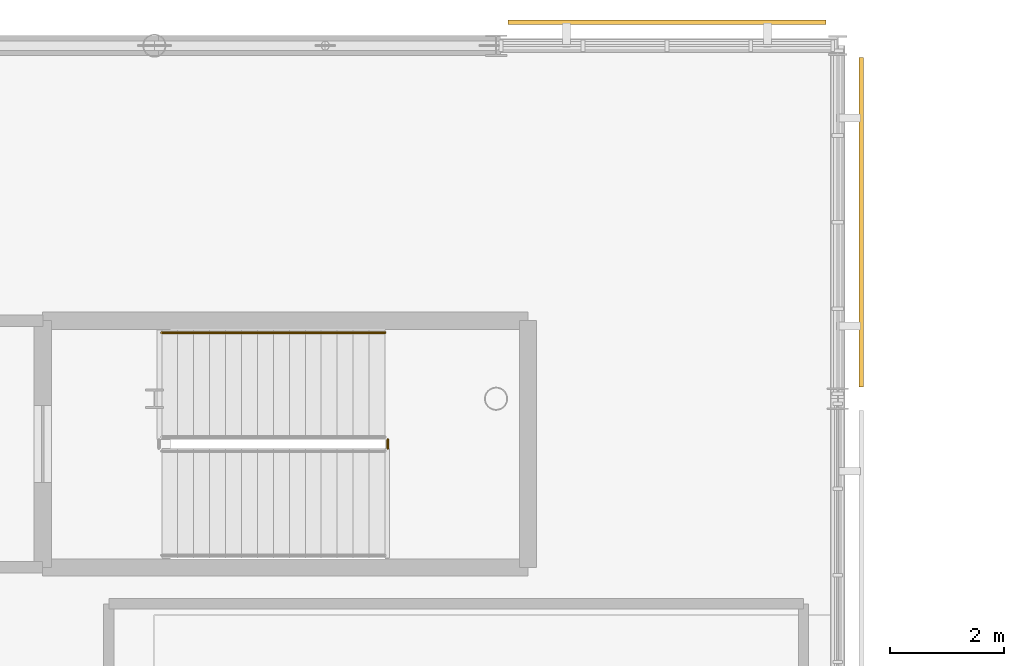
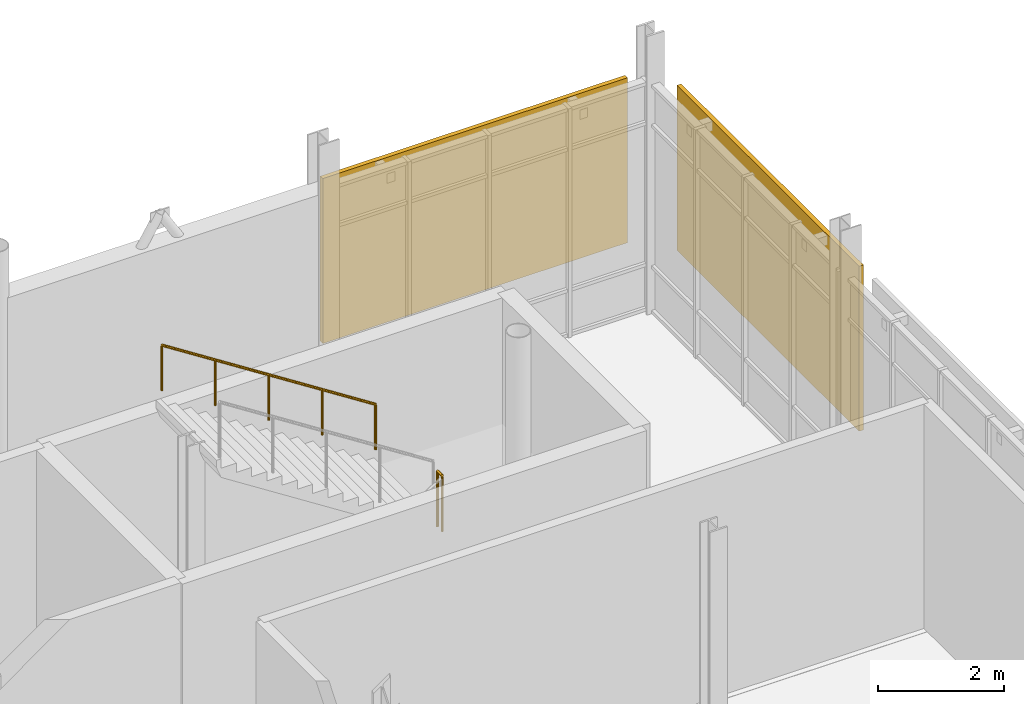
# One storey, part 105 of 105: 2 railings, 2 shading devices.
"""IFC4 building model written with IfcOpenShell, lengths in metres."""

from ifc_helpers import new_model, si_unit, direction, frame, origin, origin_2d, place, context, subcontext, project, spatial, rectangle, circle, extrude, material, layer, layer_set, type_object, element, save


model = new_model("IFC4")

# Units and contexts
model_context = context("Model", 3, precision=1e-05, world=origin(), true_north=direction((0.0, 1.0)))
body_context = subcontext(model_context, "Body", "Model", "MODEL_VIEW")
ifc_project = project(units=[si_unit("LENGTHUNIT", "METRE"), si_unit("AREAUNIT", "SQUARE_METRE"), si_unit("VOLUMEUNIT", "CUBIC_METRE"), si_unit("PLANEANGLEUNIT", "RADIAN"), si_unit("MASSUNIT", "GRAM", prefix="KILO")], contexts=[model_context])

# Site, building, storey
site_placement = place(None, origin())
site = spatial("IfcSite", under=ifc_project, at=site_placement, CompositionType="ELEMENT")
building_placement = place(site_placement, origin())
building = spatial("IfcBuilding", under=site, at=building_placement, Name="Mirzam Square Science Centre", CompositionType="ELEMENT")
storey_placement = place(building_placement, frame((0.0, 0.0, 5.39990234375)))
storey = spatial("IfcBuildingStorey", under=building, at=storey_placement, Name="L01", CompositionType="ELEMENT", Elevation=5.39990234375)

# Railings
ifc_material_1 = material(Name="Bronze-Anodised Architectural Balustrade", Category="aluminium")
railing_type_1 = type_object("IfcRailingType", Name="RL-INT-GUARD-1100", PredefinedType="GUARDRAIL", material=ifc_material_1)
railing_1_placement = place(storey_placement, frame((130.10009765625, 104.530029296875, 2.7001953125)))
element("IfcRailing", 1, at=railing_1_placement, inside=storey, type_object=railing_type_1, Name="L01 ST-11 stair guard 2", PredefinedType="GUARDRAIL", context=body_context, shape_type="SweptSolid", body=[
    extrude(circle(Radius=0.02392578125, at=origin_2d()), frame((0.0, 0.0, 1.076171875), z_axis=(0.0, 1.0, 0.0), x_axis=(-1.0, 0.0, 0.0)), (0.0, 0.0, 1.0), 0.14990234375),
    extrude(circle(Radius=0.02099609375, at=origin_2d()), origin(), (0.0, 0.0, 1.0), 1.052001953125),
    extrude(circle(Radius=0.02099609375, at=origin_2d()), frame((0.0, 0.14990234375, 0.0)), (0.0, 0.0, 1.0), 1.052001953125),
])
ifc_material_2 = material(Name="Brushed Bronze Tubular Handrail", Category="aluminium")
railing_type_2 = type_object("IfcRailingType", Name="RL-STAIR-HANDRAIL-900", PredefinedType="HANDRAIL", material=ifc_material_2)
railing_2_placement = place(storey_placement, frame((130.050048828125, 106.56005859375, 3.072021484375)))
element("IfcRailing", 2, at=railing_2_placement, inside=storey, type_object=railing_type_2, Name="L01 ST-11 stair handrail 2", PredefinedType="HANDRAIL", context=body_context, shape_type="SweptSolid", body=[
    extrude(circle(Radius=0.02392578125, at=origin_2d()), frame((0.0, 0.0, 0.8759765625), z_axis=(-0.841186985886, 0.0, 0.540744352514), x_axis=(0.0, -1.0, 0.0)), (0.0, 0.0, 1.0), 4.660400390625),
    extrude(circle(Radius=0.02099609375, at=origin_2d()), origin(), (0.0, 0.0, 1.0), 0.851806640625),
    extrude(circle(Radius=0.02099609375, at=origin_2d()), frame((-0.97998046875, 0.0, 0.6298828125)), (0.0, 0.0, 1.0), 0.851806640625),
    extrude(circle(Radius=0.02099609375, at=origin_2d()), frame((-1.9599609375, 0.0, 1.260009765625)), (0.0, 0.0, 1.0), 0.851806640625),
    extrude(circle(Radius=0.02099609375, at=origin_2d()), frame((-2.940185546875, 0.0, 1.89013671875)), (0.0, 0.0, 1.0), 0.851806640625),
    extrude(circle(Radius=0.02099609375, at=origin_2d()), frame((-3.920166015625, 0.0, 2.52001953125)), (0.0, 0.0, 1.0), 0.851806640625),
])

# Shading devices
ifc_material_3 = material(Name="Perforated Bronze-Anodised Aluminium Brise-Soleil", Category="aluminium")
ifc_layer = layer(ifc_material_3, 0.080078125)
ifc_layer_set = layer_set([ifc_layer], Name="SHD-BRISE-BRONZE")
shading_device_type = type_object("IfcShadingDeviceType", Name="SHD-BRISE-BRONZE", PredefinedType="JALOUSIE", material=ifc_layer_set)
shading_device_1_placement = place(storey_placement, frame((135.0, 112.010009765625, 1.09033203125), z_axis=(0.0, 0.0, 1.0), x_axis=(-1.0, 0.0, 0.0)))
element("IfcShadingDevice", 3, at=shading_device_1_placement, inside=storey, type_object=shading_device_type, Name="L01 bronze brise-soleil screen 81", PredefinedType="JALOUSIE", context=body_context, shape_type="SweptSolid", body=[
    extrude(rectangle(XDim=5.590087890625, YDim=0.080078125, at=origin_2d()), origin(), (0.0, 0.0, 1.0), 3.199951171875),
])
shading_device_2_placement = place(storey_placement, frame((138.409912109375, 108.5, 1.09033203125), z_axis=(0.0, 0.0, 1.0), x_axis=(0.0, 1.0, 0.0)))
element("IfcShadingDevice", 4, at=shading_device_2_placement, inside=storey, type_object=shading_device_type, Name="L01 bronze brise-soleil screen 89", PredefinedType="JALOUSIE", context=body_context, shape_type="SweptSolid", body=[
    extrude(rectangle(XDim=5.7900390625, YDim=0.080078125, at=origin_2d()), origin(), (0.0, 0.0, 1.0), 3.199951171875),
])

save(model, "model.ifc")
